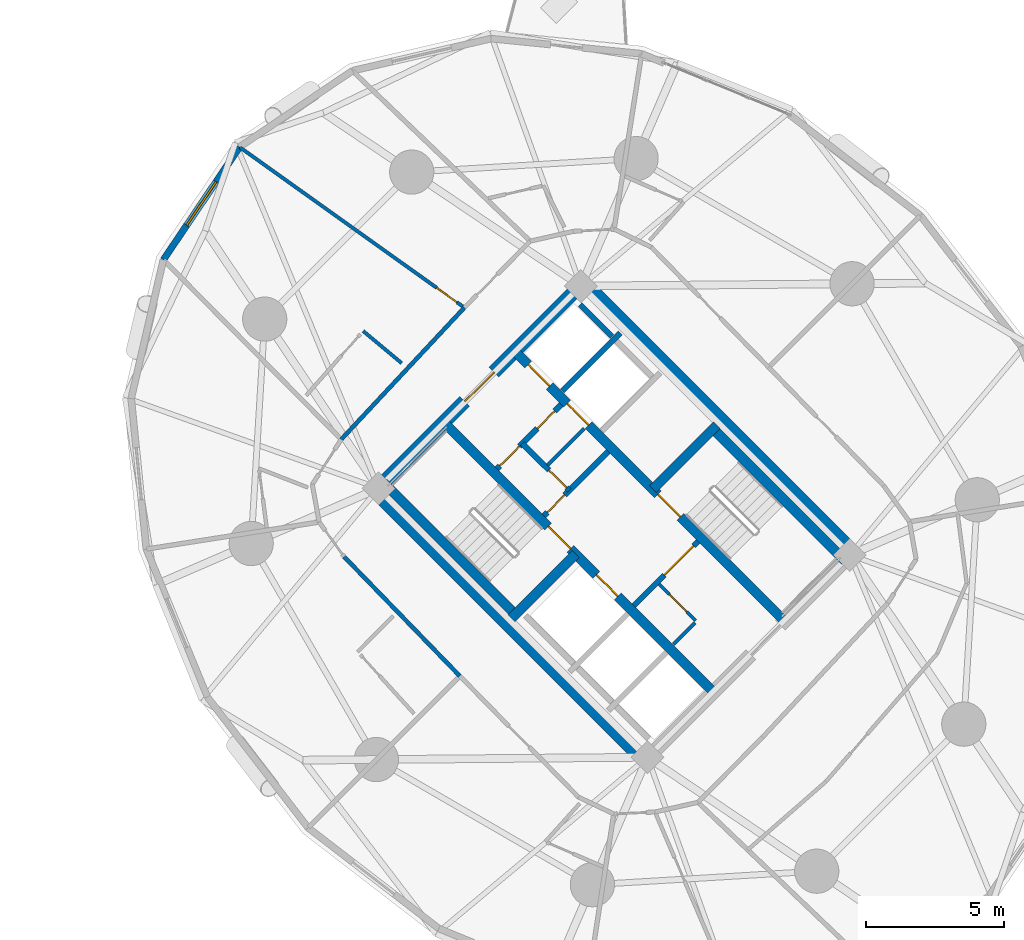
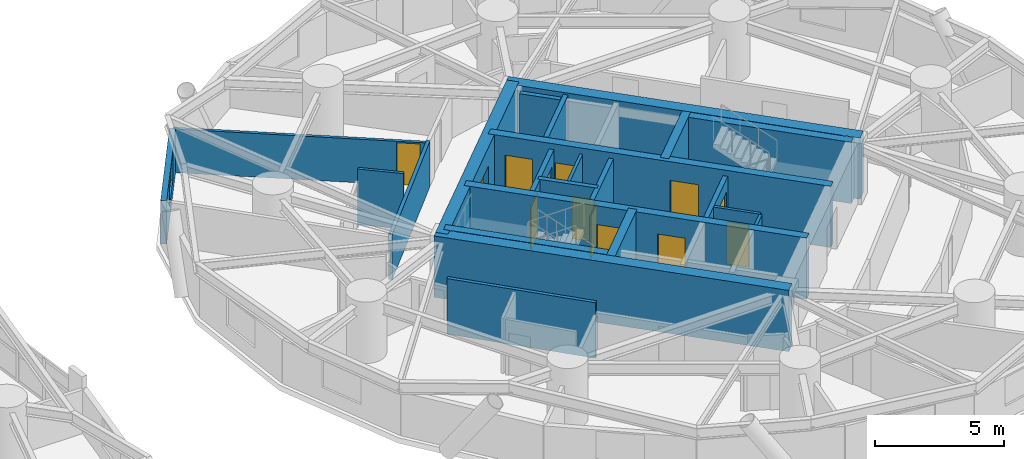
# One storey, part 13 of 18: 23 walls, 13 doors, 1 window, 14 openings.
"""IFC4 building model written with IfcOpenShell, lengths in metres."""

from ifc_helpers import new_model, si_unit, direction, frame, frame_2d, origin, place, context, subcontext, project, spatial, rectangle, extrude, source, transform, mapped, material, layer, layer_set, type_object, element, fill, save


model = new_model("IFC4")

# Units and contexts
model_context = context("Model", 3, precision=1e-05, world=origin(), true_north=direction((0.0, 1.0)))
body_context = subcontext(model_context, "Body", "Model", "MODEL_VIEW")
ifc_project = project(units=[si_unit("LENGTHUNIT", "METRE"), si_unit("AREAUNIT", "SQUARE_METRE"), si_unit("VOLUMEUNIT", "CUBIC_METRE"), si_unit("PLANEANGLEUNIT", "RADIAN"), si_unit("MASSUNIT", "GRAM", prefix="KILO")], contexts=[model_context])

# Site, building, storey
site_placement = place(None, origin())
site = spatial("IfcSite", under=ifc_project, at=site_placement, CompositionType="ELEMENT")
building_placement = place(site_placement, origin())
building = spatial("IfcBuilding", under=site, at=building_placement, Name="Cununo Teusaquillo Station Towers", CompositionType="ELEMENT")
storey_placement = place(building_placement, frame((0.0, 0.0, 51.10009765625)))
storey = spatial("IfcBuildingStorey", under=building, at=storey_placement, Name="L15", CompositionType="ELEMENT", Elevation=51.10009765625)

# Walls
ifc_material_1 = material(Name="Concrete C50/60", Category="concrete")
ifc_layer_1 = layer(ifc_material_1, 0.199951171875)
ifc_layer_set_1 = layer_set([ifc_layer_1], Name="Concrete C50/60")
wall_type_1 = type_object("IfcWallType", Name="WL-CORE-200", PredefinedType="SHEAR", material=ifc_layer_set_1)
wall_1_placement = place(storey_placement, frame((55.615478515625, 29.22705078125, 0.0), z_axis=(0.0, 0.0, 1.0), x_axis=(0.707147878904, 0.70706568108, 0.0)))
element("IfcWall", 1, at=wall_1_placement, inside=storey, type_object=wall_type_1, Name="L15 Tower B Low-Rise Lift Hoistway Divider Shear Wall", PredefinedType="SHEAR", context=body_context, shape_type="SweptSolid", body=[
    extrude(rectangle(XDim=2.97021484375, YDim=0.199951171875, at=frame_2d((1.485107421875, 0.0))), origin(), (0.0, 0.0, 1.0), 2.909912109375),
])
wall_2_placement = place(storey_placement, frame((57.418701171875, 31.19970703125, 0.0), z_axis=(0.0, 0.0, 1.0), x_axis=(-0.707032117043, 0.707181437447, 0.0)))
element("IfcWall", 2, at=wall_2_placement, inside=storey, type_object=wall_type_1, Name="L15 Tower B Low-Rise Lift 2 Shaft Rear Shear Wall", PredefinedType="SHEAR", context=body_context, shape_type="SweptSolid", body=[
    extrude(rectangle(XDim=1.635009765625, YDim=0.199951171875, at=frame_2d((0.8173828125, 0.0))), origin(), (0.0, 0.0, 1.0), 2.909912109375),
])

# Wall, openings, doors
ifc_material_2 = material(Name="Concrete C50/60", Category="concrete")
ifc_layer_2 = layer(ifc_material_2, 0.35009765625)
ifc_layer_set_2 = layer_set([ifc_layer_2], Name="Concrete C50/60")
wall_type_2 = type_object("IfcWallType", Name="WL-CORE-350", PredefinedType="SHEAR", material=ifc_layer_set_2)
wall_3_placement = place(storey_placement, frame((61.095703125, 18.337646484375, 0.0), z_axis=(0.0, 0.0, 1.0), x_axis=(-0.707106781187, 0.707106781187, 0.0)))
wall_3 = element("IfcWall", 3, at=wall_3_placement, inside=storey, type_object=wall_type_2, Name="L15 Tower B Core Shear Wall IW", PredefinedType="SHEAR", context=body_context, shape_type="SweptSolid", body=[
    extrude(rectangle(XDim=13.800048828125, YDim=0.35009765625, at=frame_2d((6.89990234375, 0.0))), origin(), (0.0, 0.0, 1.0), 2.909912109375),
])
shared_shape_1 = source(origin(), body_context, "Body", "SweptSolid", [
    extrude(rectangle(XDim=1.10009765625, YDim=2.014892578125, at=frame_2d((0.550048828125, 1.00732421875))), frame((0.0, 0.18505859375, 0.0), z_axis=(0.0, -1.0, 0.0), x_axis=(1.0, 0.0, 0.0)), (0.0, 0.0, 1.0), 0.3701171875),
])
opening_1_placement = place(wall_3_placement, frame((4.89990234375, 0.0, 0.0)))
opening_1 = element("IfcOpeningElement", 4, at=opening_1_placement, cuts=wall_3, Name="Opening LD-01", PredefinedType="OPENING", context=body_context, shape_type="MappedRepresentation", body=[
    mapped(shared_shape_1, transform((0.0, 0.0, 0.0), x_axis=(1.0, 0.0, 0.0), y_axis=(0.0, 1.0, 0.0), z_axis=(0.0, 0.0, 1.0), scale=1.0)),
])
shared_shape_2 = source(origin(), body_context, "Body", "SweptSolid", [
    extrude(rectangle(XDim=1.14990234375, YDim=2.02001953125, at=frame_2d((0.574951171875, 1.010009765625))), frame((0.0, 0.18505859375, 0.0), z_axis=(0.0, -1.0, 0.0), x_axis=(1.0, 0.0, 0.0)), (0.0, 0.0, 1.0), 0.3701171875),
])
opening_2_placement = place(wall_3_placement, frame((7.320068359375, 0.0, 0.0)))
opening_2 = element("IfcOpeningElement", 5, at=opening_2_placement, cuts=wall_3, Name="Opening D-ST1", PredefinedType="OPENING", context=body_context, shape_type="MappedRepresentation", body=[
    mapped(shared_shape_2, transform((0.0, 0.0, 0.0), x_axis=(1.0, 0.0, 0.0), y_axis=(0.0, 1.0, 0.0), z_axis=(0.0, 0.0, 1.0), scale=1.0)),
])
ifc_material_3 = material(Name="Galvanised fire-rated hollow steel door assembly", Category="steel")
door_type_1 = type_object("IfcDoorType", Name="DR-LIFT-1100", OperationType="SLIDING_TO_LEFT", PredefinedType="DOOR", material=ifc_material_3)
shared_shape_3 = source(origin(), body_context, "Body", "SweptSolid", [
    extrude(rectangle(XDim=1.10009765625, YDim=2.014892578125, at=frame_2d((0.550048828125, 1.00732421875))), frame((0.0, 0.02490234375, 0.0), z_axis=(0.0, -1.0, 0.0), x_axis=(1.0, 0.0, 0.0)), (0.0, 0.0, 1.0), 0.050048828125),
])
door_1_placement = place(opening_1_placement, origin())
door_1 = element("IfcDoor", 6, at=door_1_placement, inside=storey, type_object=door_type_1, Name="L15 Lift FL-T2 Sliding Landing Door", OperationType="SLIDING_TO_LEFT", OverallHeight=2.014892578125, OverallWidth=1.10009765625, PredefinedType="DOOR", context=body_context, shape_type="MappedRepresentation", body=[
    mapped(shared_shape_3, transform((0.0, 0.0, 0.0), x_axis=(1.0, 0.0, 0.0), y_axis=(0.0, 1.0, 0.0), z_axis=(0.0, 0.0, 1.0), scale=1.0)),
])
fill(opening_1, door_1)
ifc_material_4 = material(Name="Galvanised fire-rated hollow steel door assembly", Category="steel")
door_type_2 = type_object("IfcDoorType", Name="DR-STAIR-1150", OperationType="NOTDEFINED", PredefinedType="DOOR", material=ifc_material_4)
shared_shape_4 = source(origin(), body_context, "Body", "SweptSolid", [
    extrude(rectangle(XDim=1.14990234375, YDim=2.02001953125, at=frame_2d((0.574951171875, 1.010009765625))), frame((0.0, 0.02490234375, 0.0), z_axis=(0.0, -1.0, 0.0), x_axis=(1.0, 0.0, 0.0)), (0.0, 0.0, 1.0), 0.050048828125),
])
door_2_placement = place(opening_2_placement, origin())
door_2 = element("IfcDoor", 7, at=door_2_placement, inside=storey, type_object=door_type_2, Name="L15 Tower B Exit Stair 1 Fire Door", OperationType="SINGLE_SWING_RIGHT", OverallHeight=2.02001953125, OverallWidth=1.14990234375, PredefinedType="DOOR", context=body_context, shape_type="MappedRepresentation", body=[
    mapped(shared_shape_4, transform((0.0, 0.0, 0.0), x_axis=(1.0, 0.0, 0.0), y_axis=(0.0, 1.0, 0.0), z_axis=(0.0, 0.0, 1.0), scale=1.0)),
])
fill(opening_2, door_2)

wall_4_placement = place(storey_placement, frame((63.662353515625, 20.904296875, 0.0), z_axis=(0.0, 0.0, 1.0), x_axis=(-0.707106781187, 0.707106781187, 0.0)))
wall_4 = element("IfcWall", 8, at=wall_4_placement, inside=storey, type_object=wall_type_2, Name="L15 Tower B Core Shear Wall IE", PredefinedType="SHEAR", context=body_context, shape_type="SweptSolid", body=[
    extrude(rectangle(XDim=13.800048828125, YDim=0.35009765625, at=frame_2d((6.89990234375, 0.0))), origin(), (0.0, 0.0, 1.0), 2.909912109375),
])
opening_3_placement = place(wall_4_placement, frame((10.02490234375, 0.0, 0.0)))
opening_3 = element("IfcOpeningElement", 9, at=opening_3_placement, cuts=wall_4, Name="Opening LD-01", PredefinedType="OPENING", context=body_context, shape_type="MappedRepresentation", body=[
    mapped(shared_shape_1, transform((0.0, 0.0, 0.0), x_axis=(1.0, 0.0, 0.0), y_axis=(0.0, 1.0, 0.0), z_axis=(0.0, 0.0, 1.0), scale=1.0)),
])
opening_4_placement = place(wall_4_placement, frame((12.02490234375, 0.0, 0.0)))
opening_4 = element("IfcOpeningElement", 10, at=opening_4_placement, cuts=wall_4, Name="Opening LD-01", PredefinedType="OPENING", context=body_context, shape_type="MappedRepresentation", body=[
    mapped(shared_shape_1, transform((0.0, 0.0, 0.0), x_axis=(1.0, 0.0, 0.0), y_axis=(0.0, 1.0, 0.0), z_axis=(0.0, 0.0, 1.0), scale=1.0)),
])
opening_5_placement = place(wall_4_placement, frame((5.330078125, 0.0, 0.0)))
opening_5 = element("IfcOpeningElement", 11, at=opening_5_placement, cuts=wall_4, Name="Opening D-ST1", PredefinedType="OPENING", context=body_context, shape_type="MappedRepresentation", body=[
    mapped(shared_shape_2, transform((0.0, 0.0, 0.0), x_axis=(1.0, 0.0, 0.0), y_axis=(0.0, 1.0, 0.0), z_axis=(0.0, 0.0, 1.0), scale=1.0)),
])
door_3_placement = place(opening_3_placement, origin())
door_3 = element("IfcDoor", 12, at=door_3_placement, inside=storey, type_object=door_type_1, Name="L15 Lift PL-T2-L1 Sliding Landing Door", OperationType="SLIDING_TO_RIGHT", OverallHeight=2.014892578125, OverallWidth=1.10009765625, PredefinedType="DOOR", context=body_context, shape_type="MappedRepresentation", body=[
    mapped(shared_shape_3, transform((0.0, 0.0, 0.0), x_axis=(1.0, 0.0, 0.0), y_axis=(0.0, 1.0, 0.0), z_axis=(0.0, 0.0, 1.0), scale=1.0)),
])
fill(opening_3, door_3)
door_4_placement = place(opening_4_placement, origin())
door_4 = element("IfcDoor", 13, at=door_4_placement, inside=storey, type_object=door_type_1, Name="L15 Lift PL-T2-L2 Sliding Landing Door", OperationType="SLIDING_TO_LEFT", OverallHeight=2.014892578125, OverallWidth=1.10009765625, PredefinedType="DOOR", context=body_context, shape_type="MappedRepresentation", body=[
    mapped(shared_shape_3, transform((0.0, 0.0, 0.0), x_axis=(1.0, 0.0, 0.0), y_axis=(0.0, 1.0, 0.0), z_axis=(0.0, 0.0, 1.0), scale=1.0)),
])
fill(opening_4, door_4)
door_5_placement = place(opening_5_placement, origin())
door_5 = element("IfcDoor", 14, at=door_5_placement, inside=storey, type_object=door_type_2, Name="L15 Tower B Exit Stair 2 Fire Door", OperationType="SINGLE_SWING_LEFT", OverallHeight=2.02001953125, OverallWidth=1.14990234375, PredefinedType="DOOR", context=body_context, shape_type="MappedRepresentation", body=[
    mapped(shared_shape_4, transform((0.0, 0.0, 0.0), x_axis=(1.0, 0.0, 0.0), y_axis=(0.0, 1.0, 0.0), z_axis=(0.0, 0.0, 1.0), scale=1.0)),
])
fill(opening_5, door_5)

# Walls
wall_5_placement = place(storey_placement, frame((53.922119140625, 21.14111328125, 0.0), z_axis=(0.0, 0.0, 1.0), x_axis=(-0.707106781187, 0.707106781187, 0.0)))
element("IfcWall", 15, at=wall_5_placement, inside=storey, type_object=wall_type_2, Name="L15 Tower B Core Shear Wall ST1W", PredefinedType="SHEAR", context=body_context, shape_type="SweptSolid", body=[
    extrude(rectangle(XDim=6.7451171875, YDim=0.35009765625, at=frame_2d((3.37255859375, 0.0))), origin(), (0.0, 0.0, 1.0), 2.909912109375),
])
wall_6_placement = place(storey_placement, frame((53.7841796875, 21.00341796875, 0.0), z_axis=(0.0, 0.0, 1.0), x_axis=(0.707106781187, 0.707106781187, 0.0)))
element("IfcWall", 16, at=wall_6_placement, inside=storey, type_object=wall_type_2, Name="L15 Tower B Core Shear Wall ST1S", PredefinedType="SHEAR", context=body_context, shape_type="SweptSolid", body=[
    extrude(rectangle(XDim=3.284912109375, YDim=0.35009765625, at=frame_2d((1.642578125, 0.0))), origin(), (0.0, 0.0, 1.0), 2.909912109375),
])
wall_7_placement = place(storey_placement, frame((65.847412109375, 23.08935546875, 0.0), z_axis=(0.0, 0.0, 1.0), x_axis=(-0.707106781187, 0.707106781187, 0.0)))
element("IfcWall", 17, at=wall_7_placement, inside=storey, type_object=wall_type_2, Name="L15 Tower B Core Shear Wall ST2E", PredefinedType="SHEAR", context=body_context, shape_type="SweptSolid", body=[
    extrude(rectangle(XDim=6.7451171875, YDim=0.35009765625, at=frame_2d((3.37255859375, 0.0))), origin(), (0.0, 0.0, 1.0), 2.909912109375),
])
wall_8_placement = place(storey_placement, frame((58.89306640625, 25.673828125, 0.0), z_axis=(0.0, 0.0, 1.0), x_axis=(0.707106781187, 0.707106781187, 0.0)))
element("IfcWall", 18, at=wall_8_placement, inside=storey, type_object=wall_type_2, Name="L15 Tower B Core Shear Wall ST2N", PredefinedType="SHEAR", context=body_context, shape_type="SweptSolid", body=[
    extrude(rectangle(XDim=3.284912109375, YDim=0.35009765625, at=frame_2d((1.642578125, 0.0))), origin(), (0.0, 0.0, 1.0), 2.909912109375),
])
ifc_material_5 = material(Name="Concrete C60/75", Category="concrete")
ifc_layer_3 = layer(ifc_material_5, 0.5)
ifc_layer_set_3 = layer_set([ifc_layer_3], Name="Concrete C60/75")
wall_type_3 = type_object("IfcWallType", Name="WL-CORE-500", PredefinedType="SHEAR", material=ifc_layer_set_3)
for number, where, z_axis, x_axis, name in (
    (19, (58.772705078125, 15.6611328125, 0.0), (0.0, 0.0, 1.0), (-0.707106781187, 0.707106781187, 0.0), "L15 Tower B Core Shear Wall W"),
    (20, (66.3388671875, 23.227294921875, 0.0), (0.0, 0.0, 1.0), (-0.707106781187, 0.707106781187, 0.0), "L15 Tower B Core Shear Wall E"),
):
    element("IfcWall", number, at=place(storey_placement, frame(where, z_axis=z_axis, x_axis=x_axis)), inside=storey, type_object=wall_type_3, Name=name, PredefinedType="SHEAR", context=body_context, shape_type="SweptSolid", body=[
        extrude(rectangle(XDim=14.2998046875, YDim=0.5, at=frame_2d((7.14990234375, 0.0))), origin(), (0.0, 0.0, 1.0), 2.909912109375),
    ])

# Wall, opening, door
wall_9_placement = place(storey_placement, frame((48.837890625, 25.595947265625, 0.0), z_axis=(0.0, 0.0, 1.0), x_axis=(0.707106781187, 0.707106781187, 0.0)))
wall_9 = element("IfcWall", 21, at=wall_9_placement, inside=storey, type_object=wall_type_3, Name="L15 Tower B Core Shear Wall N", PredefinedType="SHEAR", context=body_context, shape_type="SweptSolid", body=[
    extrude(rectangle(XDim=10.7001953125, YDim=0.5, at=frame_2d((5.35009765625, 0.0))), origin(), (0.0, 0.0, 1.0), 2.909912109375),
])
shared_shape_5 = source(origin(), body_context, "Body", "SweptSolid", [
    extrude(rectangle(XDim=1.5, YDim=2.02001953125, at=frame_2d((0.75, 1.010009765625))), frame((0.0, 0.260009765625, 0.0), z_axis=(0.0, -1.0, 0.0), x_axis=(1.0, 0.0, 0.0)), (0.0, 0.0, 1.0), 0.52001953125),
])
opening_6_placement = place(wall_9_placement, frame((4.60009765625, 0.0, 0.0)))
opening_6 = element("IfcOpeningElement", 22, at=opening_6_placement, cuts=wall_9, Name="Opening D-LB1", PredefinedType="OPENING", context=body_context, shape_type="MappedRepresentation", body=[
    mapped(shared_shape_5, transform((0.0, 0.0, 0.0), x_axis=(1.0, 0.0, 0.0), y_axis=(0.0, 1.0, 0.0), z_axis=(0.0, 0.0, 1.0), scale=1.0)),
])
ifc_material_6 = material(Name="Galvanised fire-rated hollow steel door assembly", Category="steel")
door_type_3 = type_object("IfcDoorType", Name="DR-LOBBY-1500", OperationType="DOUBLE_DOOR_SINGLE_SWING", PredefinedType="DOOR", material=ifc_material_6)
shared_shape_6 = source(origin(), body_context, "Body", "SweptSolid", [
    extrude(rectangle(XDim=1.5, YDim=2.02001953125, at=frame_2d((0.75, 1.010009765625))), frame((0.0, 0.02490234375, 0.0), z_axis=(0.0, -1.0, 0.0), x_axis=(1.0, 0.0, 0.0)), (0.0, 0.0, 1.0), 0.050048828125),
])
door_6_placement = place(opening_6_placement, origin())
door_6 = element("IfcDoor", 23, at=door_6_placement, inside=storey, type_object=door_type_3, Name="L15 Tower B North Core Lift Lobby Door", OperationType="DOUBLE_DOOR_SINGLE_SWING", OverallHeight=2.02001953125, OverallWidth=1.5, PredefinedType="DOOR", context=body_context, shape_type="MappedRepresentation", body=[
    mapped(shared_shape_6, transform((0.0, 0.0, 0.0), x_axis=(1.0, 0.0, 0.0), y_axis=(0.0, 1.0, 0.0), z_axis=(0.0, 0.0, 1.0), scale=1.0)),
])
fill(opening_6, door_6)

# Wall, opening, window
ifc_material_7 = material(Name="Precast concrete C40/50", Category="concrete")
ifc_layer_4 = layer(ifc_material_7, 0.239990234375)
ifc_layer_set_4 = layer_set([ifc_layer_4], Name="Precast concrete C40/50")
wall_type_4 = type_object("IfcWallType", Name="WL-EXT-240", PredefinedType="SOLIDWALL", material=ifc_layer_set_4)
wall_10_placement = place(storey_placement, frame((41.185791015625, 33.969482421875, 0.0), z_axis=(0.0, 0.0, 1.0), x_axis=(0.559638693991, 0.828736708604, 0.0)))
wall_10 = element("IfcWall", 24, at=wall_10_placement, inside=storey, type_object=wall_type_4, Name="L15 Tower B Exterior Facade Wall C05", PredefinedType="SOLIDWALL", context=body_context, shape_type="SweptSolid", body=[
    extrude(rectangle(XDim=4.929931640625, YDim=0.239990234375, at=frame_2d((2.46484375, 0.0))), origin(), (0.0, 0.0, 1.0), 2.072998046875),
])
shared_shape_7 = source(origin(), body_context, "Body", "SweptSolid", [
    extrude(rectangle(XDim=1.89990234375, YDim=1.35009765625, at=frame_2d((0.949951171875, 0.675048828125))), frame((0.0, 0.1298828125, 0.0), z_axis=(0.0, -1.0, 0.0), x_axis=(1.0, 0.0, 0.0)), (0.0, 0.0, 1.0), 0.260009765625),
])
opening_7_placement = place(wall_10_placement, frame((1.514892578125, 0.0, 0.64990234375)))
opening_7 = element("IfcOpeningElement", 25, at=opening_7_placement, cuts=wall_10, Name="Opening WN-02", PredefinedType="OPENING", context=body_context, shape_type="MappedRepresentation", body=[
    mapped(shared_shape_7, transform((0.0, 0.0, 0.0), x_axis=(1.0, 0.0, 0.0), y_axis=(0.0, 1.0, 0.0), z_axis=(0.0, 0.0, 1.0), scale=1.0)),
])
ifc_material_8 = material(Name="Operable acoustic tinted low-E double glazing", Category="glass")
window_type = type_object("IfcWindowType", Name="WIN-OPER-1900", PartitioningType="DOUBLE_PANEL_VERTICAL", PredefinedType="WINDOW", material=ifc_material_8)
shared_shape_8 = source(origin(), body_context, "Body", "SweptSolid", [
    extrude(rectangle(XDim=1.89990234375, YDim=1.35009765625, at=frame_2d((0.949951171875, 0.675048828125))), frame((0.0, 0.030029296875, 0.0), z_axis=(0.0, -1.0, 0.0), x_axis=(1.0, 0.0, 0.0)), (0.0, 0.0, 1.0), 0.06005859375),
])
window_placement = place(opening_7_placement, origin())
window = element("IfcWindow", 26, at=window_placement, inside=storey, type_object=window_type, Name="L15 Tower B Facade Window C05", OverallHeight=1.35009765625, OverallWidth=1.89990234375, PartitioningType="DOUBLE_PANEL_VERTICAL", PredefinedType="WINDOW", context=body_context, shape_type="MappedRepresentation", body=[
    mapped(shared_shape_8, transform((0.0, 0.0, 0.0), x_axis=(1.0, 0.0, 0.0), y_axis=(0.0, 1.0, 0.0), z_axis=(0.0, 0.0, 1.0), scale=1.0)),
])
fill(opening_7, window)

# Wall, opening, door
ifc_material_9 = material(Name="Fire-rated gypsum plasterboard partition assembly", Category="gypsum")
ifc_layer_5 = layer(ifc_material_9, 0.125)
ifc_layer_set_5 = layer_set([ifc_layer_5], Name="Fire-rated gypsum plasterboard partition assembly")
wall_type_5 = type_object("IfcWallType", Name="WL-PART-125", PredefinedType="PARTITIONING", material=ifc_layer_set_5)
wall_11_placement = place(storey_placement, frame((60.448486328125, 20.9150390625, 0.0), z_axis=(0.0, 0.0, 1.0), x_axis=(-0.707106781187, 0.707106781187, 0.0)))
wall_11 = element("IfcWall", 27, at=wall_11_placement, inside=storey, type_object=wall_type_5, Name="L15 Tower B North-West Lobby Store East Wall", PredefinedType="PARTITIONING", context=body_context, shape_type="SweptSolid", body=[
    extrude(rectangle(XDim=1.869873046875, YDim=0.125, at=frame_2d((0.93505859375, 0.0))), origin(), (0.0, 0.0, 1.0), 2.635009765625),
])
shared_shape_9 = source(origin(), body_context, "Body", "SweptSolid", [
    extrude(rectangle(XDim=0.89990234375, YDim=2.0048828125, at=frame_2d((0.449951171875, 1.00244140625))), frame((0.0, 0.072509765625, 0.0), z_axis=(0.0, -1.0, 0.0), x_axis=(1.0, 0.0, 0.0)), (0.0, 0.0, 1.0), 0.14501953125),
])
opening_8_placement = place(wall_11_placement, frame((0.449951171875, 0.0, 0.0)))
opening_8 = element("IfcOpeningElement", 28, at=opening_8_placement, cuts=wall_11, Name="Opening D-SR1", PredefinedType="OPENING", context=body_context, shape_type="MappedRepresentation", body=[
    mapped(shared_shape_9, transform((0.0, 0.0, 0.0), x_axis=(1.0, 0.0, 0.0), y_axis=(0.0, 1.0, 0.0), z_axis=(0.0, 0.0, 1.0), scale=1.0)),
])
ifc_material_10 = material(Name="Galvanised fire-rated hollow steel door assembly", Category="steel")
door_type_4 = type_object("IfcDoorType", Name="DR-STORE-900", OperationType="NOTDEFINED", PredefinedType="DOOR", material=ifc_material_10)
shared_shape_10 = source(origin(), body_context, "Body", "SweptSolid", [
    extrude(rectangle(XDim=0.89990234375, YDim=2.0048828125, at=frame_2d((0.449951171875, 1.00244140625))), frame((0.0, 0.02490234375, 0.0), z_axis=(0.0, -1.0, 0.0), x_axis=(1.0, 0.0, 0.0)), (0.0, 0.0, 1.0), 0.050048828125),
])
door_7_placement = place(opening_8_placement, origin())
door_7 = element("IfcDoor", 29, at=door_7_placement, inside=storey, type_object=door_type_4, Name="L15 Tower B South Lobby Data Store Door", OperationType="SINGLE_SWING_RIGHT", OverallHeight=2.0048828125, OverallWidth=0.89990234375, PredefinedType="DOOR", context=body_context, shape_type="MappedRepresentation", body=[
    mapped(shared_shape_10, transform((0.0, 0.0, 0.0), x_axis=(1.0, 0.0, 0.0), y_axis=(0.0, 1.0, 0.0), z_axis=(0.0, 0.0, 1.0), scale=1.0)),
])
fill(opening_8, door_7)

# Walls
wall_12_placement = place(storey_placement, frame((59.642578125, 20.06640625, 0.0), z_axis=(0.0, 0.0, 1.0), x_axis=(0.707106781187, 0.707106781187, 0.0)))
element("IfcWall", 30, at=wall_12_placement, inside=storey, type_object=wall_type_5, Name="L15 Tower B North-West Lobby Store South Wall", PredefinedType="PARTITIONING", context=body_context, shape_type="SweptSolid", body=[
    extrude(rectangle(XDim=1.10009765625, YDim=0.125, at=frame_2d((0.550048828125, 0.0))), origin(), (0.0, 0.0, 1.0), 2.635009765625),
])
wall_13_placement = place(storey_placement, frame((55.0888671875, 26.54345703125, 0.0), z_axis=(0.0, 0.0, 1.0), x_axis=(0.707106781187, 0.707106781187, 0.0)))
element("IfcWall", 31, at=wall_13_placement, inside=storey, type_object=wall_type_5, Name="L15 Tower B Core Horizontal Split Wall", PredefinedType="PARTITIONING", context=body_context, shape_type="SweptSolid", body=[
    extrude(rectangle(XDim=1.8798828125, YDim=0.125, at=frame_2d((0.93994140625, 0.0))), origin(), (0.0, 0.0, 1.0), 2.635009765625),
])

# Wall, opening, door
wall_14_placement = place(storey_placement, frame((52.078857421875, 32.244384765625, 0.0), z_axis=(0.0, 0.0, 1.0), x_axis=(-0.813888867537, 0.581020577346, 0.0)))
wall_14 = element("IfcWall", 32, at=wall_14_placement, inside=storey, type_object=wall_type_5, Name="L15 Tower B Presidential Hospitality Suite Suite Subdividing Wall", PredefinedType="PARTITIONING", context=body_context, shape_type="SweptSolid", body=[
    extrude(rectangle(XDim=9.9765625, YDim=0.125, at=frame_2d((4.98828125, 0.0))), origin(), (0.0, 0.0, 1.0), 2.072998046875),
])
opening_9_placement = place(wall_14_placement, frame((0.330078125, 0.0, 0.0)))
opening_9 = element("IfcOpeningElement", 33, at=opening_9_placement, cuts=wall_14, Name="Opening D-IN1", PredefinedType="OPENING", context=body_context, shape_type="MappedRepresentation", body=[
    mapped(shared_shape_9, transform((0.0, 0.0, 0.0), x_axis=(1.0, 0.0, 0.0), y_axis=(0.0, 1.0, 0.0), z_axis=(0.0, 0.0, 1.0), scale=1.0)),
])
ifc_material_11 = material(Name="Acoustic solid-core hardwood leaf assembly", Category="wood")
door_type_5 = type_object("IfcDoorType", Name="DR-INT-900", OperationType="NOTDEFINED", PredefinedType="DOOR", material=ifc_material_11)
door_8_placement = place(opening_9_placement, origin())
door_8 = element("IfcDoor", 34, at=door_8_placement, inside=storey, type_object=door_type_5, Name="L15 Tower B Presidential Hospitality Suite Suite Connecting Door", OperationType="SINGLE_SWING_RIGHT", OverallHeight=2.0048828125, OverallWidth=0.89990234375, PredefinedType="DOOR", context=body_context, shape_type="MappedRepresentation", body=[
    mapped(shared_shape_10, transform((0.0, 0.0, 0.0), x_axis=(1.0, 0.0, 0.0), y_axis=(0.0, 1.0, 0.0), z_axis=(0.0, 0.0, 1.0), scale=1.0)),
])
fill(opening_9, door_8)

# Walls
wall_15_placement = place(storey_placement, frame((49.80908203125, 30.234130859375, 0.0), z_axis=(0.0, 0.0, 1.0), x_axis=(-0.76830950514, 0.640078514177, 0.0)))
element("IfcWall", 35, at=wall_15_placement, inside=storey, type_object=wall_type_5, Name="L15 Tower B S02 En-suite Side Wall", PredefinedType="PARTITIONING", context=body_context, shape_type="SweptSolid", body=[
    extrude(rectangle(XDim=1.814453125, YDim=0.125, at=frame_2d((0.9072265625, 0.0))), origin(), (0.0, 0.0, 1.0), 2.635009765625),
])
ifc_material_12 = material(Name="Fire-rated gypsum plasterboard partition assembly", Category="gypsum")
ifc_layer_6 = layer(ifc_material_12, 0.14990234375)
ifc_layer_set_6 = layer_set([ifc_layer_6], Name="Fire-rated gypsum plasterboard partition assembly")
wall_type_6 = type_object("IfcWallType", Name="WL-PART-150", PredefinedType="PARTITIONING", material=ifc_layer_set_6)
wall_16_placement = place(storey_placement, frame((52.078857421875, 32.244384765625, 0.0), z_axis=(0.0, 0.0, 1.0), x_axis=(-0.682703325574, -0.730695674854, 0.0)))
element("IfcWall", 36, at=wall_16_placement, inside=storey, type_object=wall_type_6, Name="L15 Tower B Corridor Ring Wall C05", PredefinedType="PARTITIONING", context=body_context, shape_type="SweptSolid", body=[
    extrude(rectangle(XDim=6.526611328125, YDim=0.14990234375, at=frame_2d((3.26318359375, 0.0))), origin(), (0.0, 0.0, 1.0), 2.158935546875),
])
wall_17_placement = place(storey_placement, frame((47.728515625, 23.230224609375, 0.0), z_axis=(0.0, 0.0, 1.0), x_axis=(0.696119834292, -0.717925606386, 0.0)))
element("IfcWall", 37, at=wall_17_placement, inside=storey, type_object=wall_type_6, Name="L15 Tower B Corridor Ring Wall C09", PredefinedType="PARTITIONING", context=body_context, shape_type="SweptSolid", body=[
    extrude(rectangle(XDim=6.012451171875, YDim=0.14990234375, at=frame_2d((3.00634765625, 0.0))), origin(), (0.0, 0.0, 1.0), 2.635009765625),
])

# Wall, opening, door
ifc_material_13 = material(Name="Fire-rated gypsum plasterboard partition assembly", Category="gypsum")
ifc_layer_7 = layer(ifc_material_13, 0.199951171875)
ifc_layer_set_7 = layer_set([ifc_layer_7], Name="Fire-rated gypsum plasterboard partition assembly")
wall_type_7 = type_object("IfcWallType", Name="WL-PART-200", PredefinedType="PARTITIONING", material=ifc_layer_set_7)
wall_18_placement = place(storey_placement, frame((58.214111328125, 21.466552734375, 0.0), z_axis=(0.0, 0.0, 1.0), x_axis=(0.707106781187, 0.707106781187, 0.0)))
wall_18 = element("IfcWall", 38, at=wall_18_placement, inside=storey, type_object=wall_type_7, Name="L15 Tower B Firefighting Lift Lobby South Fire Wall", PredefinedType="PARTITIONING", context=body_context, shape_type="SweptSolid", body=[
    extrude(rectangle(XDim=3.280029296875, YDim=0.199951171875, at=frame_2d((1.64013671875, 0.0))), origin(), (0.0, 0.0, 1.0), 2.635009765625),
])
shared_shape_11 = source(origin(), body_context, "Body", "SweptSolid", [
    extrude(rectangle(XDim=1.5, YDim=2.02001953125, at=frame_2d((0.75, 1.010009765625))), frame((0.0, 0.10986328125, 0.0), z_axis=(0.0, -1.0, 0.0), x_axis=(1.0, 0.0, 0.0)), (0.0, 0.0, 1.0), 0.219970703125),
])
opening_10_placement = place(wall_18_placement, frame((1.550048828125, 0.0, 0.0)))
opening_10 = element("IfcOpeningElement", 39, at=opening_10_placement, cuts=wall_18, Name="Opening D-LB1", PredefinedType="OPENING", context=body_context, shape_type="MappedRepresentation", body=[
    mapped(shared_shape_11, transform((0.0, 0.0, 0.0), x_axis=(1.0, 0.0, 0.0), y_axis=(0.0, 1.0, 0.0), z_axis=(0.0, 0.0, 1.0), scale=1.0)),
])
door_9_placement = place(opening_10_placement, origin())
door_9 = element("IfcDoor", 40, at=door_9_placement, inside=storey, type_object=door_type_3, Name="L15 Tower B Firefighting Lift Lobby South Fire Door", OperationType="DOUBLE_DOOR_SINGLE_SWING", OverallHeight=2.02001953125, OverallWidth=1.5, PredefinedType="DOOR", context=body_context, shape_type="MappedRepresentation", body=[
    mapped(shared_shape_6, transform((0.0, 0.0, 0.0), x_axis=(1.0, 0.0, 0.0), y_axis=(0.0, 1.0, 0.0), z_axis=(0.0, 0.0, 1.0), scale=1.0)),
])
fill(opening_10, door_9)

wall_19_placement = place(storey_placement, frame((54.96142578125, 24.71923828125, 0.0), z_axis=(0.0, 0.0, 1.0), x_axis=(0.707106781187, 0.707106781187, 0.0)))
wall_19 = element("IfcWall", 41, at=wall_19_placement, inside=storey, type_object=wall_type_7, Name="L15 Tower B Firefighting Lift Lobby North Fire Wall", PredefinedType="PARTITIONING", context=body_context, shape_type="SweptSolid", body=[
    extrude(rectangle(XDim=3.280029296875, YDim=0.199951171875, at=frame_2d((1.64013671875, 0.0))), origin(), (0.0, 0.0, 1.0), 2.635009765625),
])
shared_shape_12 = source(origin(), body_context, "Body", "SweptSolid", [
    extrude(rectangle(XDim=0.89990234375, YDim=2.0048828125, at=frame_2d((0.449951171875, 1.00244140625))), frame((0.0, 0.10986328125, 0.0), z_axis=(0.0, -1.0, 0.0), x_axis=(1.0, 0.0, 0.0)), (0.0, 0.0, 1.0), 0.219970703125),
])
opening_11_placement = place(wall_19_placement, frame((0.159912109375, 0.0, 0.0)))
opening_11 = element("IfcOpeningElement", 42, at=opening_11_placement, cuts=wall_19, Name="Opening D-SR1", PredefinedType="OPENING", context=body_context, shape_type="MappedRepresentation", body=[
    mapped(shared_shape_12, transform((0.0, 0.0, 0.0), x_axis=(1.0, 0.0, 0.0), y_axis=(0.0, 1.0, 0.0), z_axis=(0.0, 0.0, 1.0), scale=1.0)),
])
door_10_placement = place(opening_11_placement, origin())
door_10 = element("IfcDoor", 43, at=door_10_placement, inside=storey, type_object=door_type_4, Name="L15 Tower B Stair 1 Protected Vestibule South Door", OperationType="SINGLE_SWING_RIGHT", OverallHeight=2.0048828125, OverallWidth=0.89990234375, PredefinedType="DOOR", context=body_context, shape_type="MappedRepresentation", body=[
    mapped(shared_shape_10, transform((0.0, 0.0, 0.0), x_axis=(1.0, 0.0, 0.0), y_axis=(0.0, 1.0, 0.0), z_axis=(0.0, 0.0, 1.0), scale=1.0)),
])
fill(opening_11, door_10)

wall_20_placement = place(storey_placement, frame((55.873779296875, 25.63134765625, 0.0), z_axis=(0.0, 0.0, 1.0), x_axis=(-0.707157639372, 0.707055919343, 0.0)))
wall_20 = element("IfcWall", 44, at=wall_20_placement, inside=storey, type_object=wall_type_7, Name="L15 Tower B Stair 1 Vestibule Partition Wall", PredefinedType="PARTITIONING", context=body_context, shape_type="SweptSolid", body=[
    extrude(rectangle(XDim=2.400146484375, YDim=0.199951171875, at=frame_2d((1.2001953125, 0.0))), origin(), (0.0, 0.0, 1.0), 2.635009765625),
])
opening_12_placement = place(wall_20_placement, frame((0.139892578125, 0.0, 0.0)))
opening_12 = element("IfcOpeningElement", 45, at=opening_12_placement, cuts=wall_20, Name="Opening D-SR1", PredefinedType="OPENING", context=body_context, shape_type="MappedRepresentation", body=[
    mapped(shared_shape_12, transform((0.0, 0.0, 0.0), x_axis=(1.0, 0.0, 0.0), y_axis=(0.0, 1.0, 0.0), z_axis=(0.0, 0.0, 1.0), scale=1.0)),
])
door_11_placement = place(opening_12_placement, origin())
door_11 = element("IfcDoor", 46, at=door_11_placement, inside=storey, type_object=door_type_4, Name="L15 Tower B Core Linen Store Door", OperationType="SINGLE_SWING_LEFT", OverallHeight=2.0048828125, OverallWidth=0.89990234375, PredefinedType="DOOR", context=body_context, shape_type="MappedRepresentation", body=[
    mapped(shared_shape_10, transform((0.0, 0.0, 0.0), x_axis=(1.0, 0.0, 0.0), y_axis=(0.0, 1.0, 0.0), z_axis=(0.0, 0.0, 1.0), scale=1.0)),
])
fill(opening_12, door_11)

# Wall, openings, doors
wall_21_placement = place(storey_placement, frame((53.264404296875, 26.416259765625, 0.0), z_axis=(0.0, 0.0, 1.0), x_axis=(0.707106781187, 0.707106781187, 0.0)))
wall_21 = element("IfcWall", 47, at=wall_21_placement, inside=storey, type_object=wall_type_7, Name="L15 Tower B North Lift Lobby South Fire Wall", PredefinedType="PARTITIONING", context=body_context, shape_type="SweptSolid", body=[
    extrude(rectangle(XDim=3.280029296875, YDim=0.199951171875, at=frame_2d((1.64013671875, 0.0))), origin(), (0.0, 0.0, 1.0), 2.635009765625),
])
shared_shape_13 = source(origin(), body_context, "Body", "SweptSolid", [
    extrude(rectangle(XDim=1.0, YDim=2.014892578125, at=frame_2d((0.5, 1.00732421875))), frame((0.0, 0.10986328125, 0.0), z_axis=(0.0, -1.0, 0.0), x_axis=(1.0, 0.0, 0.0)), (0.0, 0.0, 1.0), 0.219970703125),
])
opening_13_placement = place(wall_21_placement, frame((0.139892578125, 0.0, 0.0)))
opening_13 = element("IfcOpeningElement", 48, at=opening_13_placement, cuts=wall_21, Name="Opening D-AC1", PredefinedType="OPENING", context=body_context, shape_type="MappedRepresentation", body=[
    mapped(shared_shape_13, transform((0.0, 0.0, 0.0), x_axis=(1.0, 0.0, 0.0), y_axis=(0.0, 1.0, 0.0), z_axis=(0.0, 0.0, 1.0), scale=1.0)),
])
opening_14_placement = place(wall_21_placement, frame((2.050048828125, 0.0, 0.0)))
opening_14 = element("IfcOpeningElement", 49, at=opening_14_placement, cuts=wall_21, Name="Opening D-SR1", PredefinedType="OPENING", context=body_context, shape_type="MappedRepresentation", body=[
    mapped(shared_shape_12, transform((0.0, 0.0, 0.0), x_axis=(1.0, 0.0, 0.0), y_axis=(0.0, 1.0, 0.0), z_axis=(0.0, 0.0, 1.0), scale=1.0)),
])
door_12_placement = place(opening_14_placement, origin())
door_12 = element("IfcDoor", 50, at=door_12_placement, inside=storey, type_object=door_type_4, Name="L15 Tower B Core Comms Room Door", OperationType="SINGLE_SWING_RIGHT", OverallHeight=2.0048828125, OverallWidth=0.89990234375, PredefinedType="DOOR", context=body_context, shape_type="MappedRepresentation", body=[
    mapped(shared_shape_10, transform((0.0, 0.0, 0.0), x_axis=(1.0, 0.0, 0.0), y_axis=(0.0, 1.0, 0.0), z_axis=(0.0, 0.0, 1.0), scale=1.0)),
])
fill(opening_14, door_12)
ifc_material_14 = material(Name="Acoustic solid-core hardwood leaf assembly", Category="wood")
door_type_6 = type_object("IfcDoorType", Name="DR-ACC-1000", OperationType="NOTDEFINED", PredefinedType="DOOR", material=ifc_material_14)
shared_shape_14 = source(origin(), body_context, "Body", "SweptSolid", [
    extrude(rectangle(XDim=1.0, YDim=2.014892578125, at=frame_2d((0.5, 1.00732421875))), frame((0.0, 0.02490234375, 0.0), z_axis=(0.0, -1.0, 0.0), x_axis=(1.0, 0.0, 0.0)), (0.0, 0.0, 1.0), 0.050048828125),
])
door_13_placement = place(opening_13_placement, origin())
door_13 = element("IfcDoor", 51, at=door_13_placement, inside=storey, type_object=door_type_6, Name="L15 Tower B North Lift Lobby to Stair 1 Vestibule Door", OperationType="SINGLE_SWING_LEFT", OverallHeight=2.014892578125, OverallWidth=1.0, PredefinedType="DOOR", context=body_context, shape_type="MappedRepresentation", body=[
    mapped(shared_shape_14, transform((0.0, 0.0, 0.0), x_axis=(1.0, 0.0, 0.0), y_axis=(0.0, 1.0, 0.0), z_axis=(0.0, 0.0, 1.0), scale=1.0)),
])
fill(opening_13, door_13)

save(model, "model.ifc")
